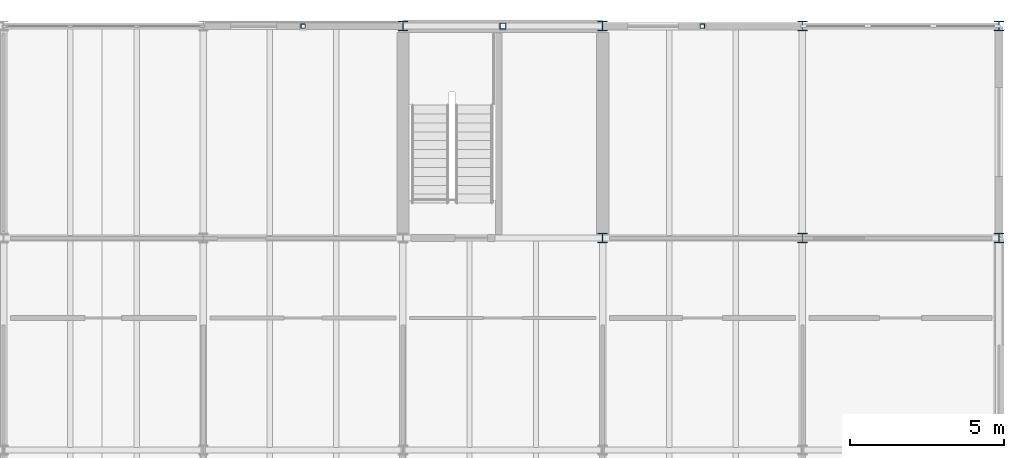
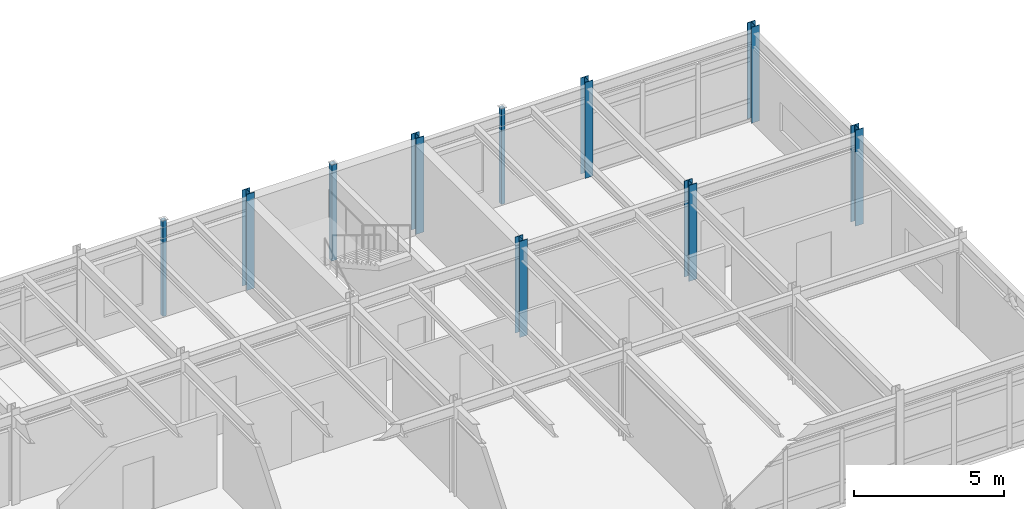
# One storey, part 13 of 49: 10 columns.
"""IFC4 building model written with IfcOpenShell, lengths in metres."""

import ifcopenshell
import ifcopenshell.guid

model = None  # the IFC model being written
_history = None  # IfcOwnerHistory: only IFC2X3 demands one
_inside = {}  # id of a spatial element -> (the spatial element, [elements in it])
_under = {}  # id of a project, library or spatial element -> (it, [spatial elements below it])
_declared = {}  # id of a project -> (the project, [libraries it declares])
_typed = {}  # id of a type object -> (the type object, [elements of that type])
_made_of = {}  # id of a material, layer set ... -> (it, [elements and type objects made of it])


def new_model(schema):
    """Start an empty IFC model of exactly this schema.

    Asked for "IFC4X3", IfcOpenShell would pick the latest addendum, in which some entities
    have other attributes; the version numbers below select the first issue.
    IFC2X3 requires an IfcOwnerHistory on every rooted entity: one is made here for all.
    """
    global model, _history
    if schema == "IFC4X3":
        model = ifcopenshell.file(schema_version=(4, 3, 0, 0))
    else:
        model = ifcopenshell.file(schema=schema)
    _inside.clear()
    _under.clear()
    _declared.clear()
    _typed.clear()
    _made_of.clear()
    _history = None
    if model.schema == "IFC2X3":
        org = make("IfcOrganization", Name="unknown")
        user = make(
            "IfcPersonAndOrganization",
            ThePerson=make("IfcPerson", FamilyName="unknown"),
            TheOrganization=org,
        )
        app = make(
            "IfcApplication",
            ApplicationDeveloper=org,
            Version="unknown",
            ApplicationFullName="unknown",
            ApplicationIdentifier="unknown",
        )
        _history = make(
            "IfcOwnerHistory",
            OwningUser=user,
            OwningApplication=app,
            ChangeAction="ADDED",
            CreationDate=0,
        )
    return model


def make(cls, **values):
    """One entity of the class cls with the attributes given. An attribute that is None is left unset."""
    return model.create_entity(
        cls, **{name: value for name, value in values.items() if value is not None}
    )


def rooted(cls, **values):
    """An entity with a GlobalId (a new one), such as an element, a storey or a relation."""
    return make(cls, GlobalId=ifcopenshell.guid.new(), OwnerHistory=_history, **values)


def si_unit(unit_type, name, prefix=None):
    """IfcSIUnit, for example si_unit("LENGTHUNIT", "METRE", prefix="MILLI")."""
    return make("IfcSIUnit", UnitType=unit_type, Prefix=prefix, Name=name)


def assignment(units):
    """IfcUnitAssignment: the units of a project."""
    return None if units is None else make("IfcUnitAssignment", Units=units)


def point(xyz):
    """IfcCartesianPoint."""
    return None if xyz is None else make("IfcCartesianPoint", Coordinates=xyz)


def direction(xyz):
    """IfcDirection."""
    return None if xyz is None else make("IfcDirection", DirectionRatios=xyz)


def frame(location, z_axis=None, x_axis=None):
    """IfcAxis2Placement3D, a coordinate frame: its origin and axes. An axis left out is left unset."""
    return make(
        "IfcAxis2Placement3D",
        Location=point(location),
        Axis=direction(z_axis),
        RefDirection=direction(x_axis),
    )


def frame_2d(location, x_axis=None):
    """IfcAxis2Placement2D, a coordinate frame in the plane: its origin and x axis."""
    return make(
        "IfcAxis2Placement2D", Location=point(location), RefDirection=direction(x_axis)
    )


def origin():
    """The frame at (0, 0, 0) with its axes left unset."""
    return frame((0.0, 0.0, 0.0))


def origin_2d():
    """The frame at (0, 0) in the plane with its x axis left unset."""
    return frame_2d((0.0, 0.0))


def place(relative_to, where):
    """IfcLocalPlacement: puts the frame where relative to a parent placement (None: the world)."""
    return make(
        "IfcLocalPlacement", PlacementRelTo=relative_to, RelativePlacement=where
    )


def context(
    kind, dimensions, precision=None, world=None, true_north=None, identifier=None
):
    """IfcGeometricRepresentationContext, for example the 3D "Model" context."""
    return make(
        "IfcGeometricRepresentationContext",
        ContextIdentifier=identifier,
        ContextType=kind,
        CoordinateSpaceDimension=dimensions,
        Precision=precision,
        WorldCoordinateSystem=world,
        TrueNorth=true_north,
    )


def subcontext(parent, identifier, kind, view, scale=None):
    """IfcGeometricRepresentationSubContext, for example "Body" below "Model"."""
    return make(
        "IfcGeometricRepresentationSubContext",
        ContextIdentifier=identifier,
        ContextType=kind,
        ParentContext=parent,
        TargetScale=scale,
        TargetView=view,
    )


def project(units=None, contexts=None):
    """IfcProject with its units and contexts."""
    return rooted(
        "IfcProject",
        Name="project",
        RepresentationContexts=contexts,
        UnitsInContext=assignment(units),
    )


def spatial(cls, under=None, at=None, **own):
    """A site, building, storey or space (cls), placed at a placement, below another one or the project."""
    s = rooted(cls, ObjectPlacement=at, **own)
    if under is not None:
        _under.setdefault(under.id(), (under, []))[1].append(s)
    return s


def profile(cls, at=None, kind="AREA", **sizes):
    """A parametric profile (cls). Its sizes go by their IFC names, for example OverallWidth=200.0."""
    return make(cls, ProfileType=kind, Position=at, **sizes)


def hollow_rectangle(**sizes):
    """IfcRectangleHollowProfileDef."""
    return profile("IfcRectangleHollowProfileDef", **sizes)


def i_section(**sizes):
    """IfcIShapeProfileDef."""
    return profile("IfcIShapeProfileDef", **sizes)


def extrude(swept, where, along, depth):
    """IfcExtrudedAreaSolid: the profile swept, set in the frame where, extruded along a direction by depth."""
    return make(
        "IfcExtrudedAreaSolid",
        SweptArea=swept,
        Position=where,
        ExtrudedDirection=direction(along),
        Depth=depth,
    )


def shape(context_of_items, identifier, shape_type, items):
    """IfcShapeRepresentation: the items that make up one representation, for example the "Body"."""
    return make(
        "IfcShapeRepresentation",
        ContextOfItems=context_of_items,
        RepresentationIdentifier=identifier,
        RepresentationType=shape_type,
        Items=items,
    )


def material(Name=None, Category=None):
    """IfcMaterial."""
    return make("IfcMaterial", Name=Name, Category=Category)


def material_profile(
    of_material, cross_section, Name=None, Category=None, Priority=None
):
    """IfcMaterialProfile: a cross section and its material."""
    return make(
        "IfcMaterialProfile",
        Name=Name,
        Material=of_material,
        Profile=cross_section,
        Priority=Priority,
        Category=Category,
    )


def profile_set(profiles, Name=None, composite=None):
    """IfcMaterialProfileSet."""
    return make(
        "IfcMaterialProfileSet",
        Name=Name,
        MaterialProfiles=profiles,
        CompositeProfile=composite,
    )


def made_of(thing, what):
    """Note that an element or type object is made of a material, layer set ...; save() writes the relation."""
    if what is not None:
        _made_of.setdefault(what.id(), (what, []))[1].append(thing)
    return thing


def type_object(cls, material=None, **own):
    """A type object (cls), such as IfcWallType, which elements share."""
    return made_of(rooted(cls, **own), material)


def element(
    cls,
    number,
    at=None,
    inside=None,
    cuts=None,
    type_object=None,
    material=None,
    context=None,
    identifier="Body",
    shape_type=None,
    held_by="IfcProductDefinitionShape",
    body=None,
    shapes=None,
    **own,
):
    """One element of the class cls, such as IfcWall. Its Tag is "e" and its number.

    at: its placement. inside: the storey or other place that contains it. cuts: it is an
    opening in that element (IfcRelVoidsElement). A single representation is given by context,
    identifier, shape_type and body (its items); several are given by shapes. held_by: the class
    of the entity that holds the representations. save() writes the other relations.
    """
    e = rooted(cls, Tag="e%d" % number, ObjectPlacement=at, **own)
    if body is not None:
        shapes = [shape(context, identifier, shape_type, body)]
    if shapes is not None:
        e.Representation = make(held_by, Representations=shapes)
    if inside is not None:
        _inside.setdefault(inside.id(), (inside, []))[1].append(e)
    if cuts is not None:
        rooted(
            "IfcRelVoidsElement", RelatingBuildingElement=cuts, RelatedOpeningElement=e
        )
    if type_object is not None:
        _typed.setdefault(type_object.id(), (type_object, []))[1].append(e)
    return made_of(e, material)


def aggregate(whole, parts):
    """IfcRelAggregates: a whole, such as a stair, and the parts it consists of."""
    return rooted("IfcRelAggregates", RelatingObject=whole, RelatedObjects=parts)


def save(model, path):
    """Write the relations noted so far, then the file.

    IfcRelAggregates (storeys below a building ...), IfcRelContainedInSpatialStructure (elements
    in a storey), IfcRelDefinesByType, IfcRelAssociatesMaterial and IfcRelDeclares: one each for
    every whole, place, type object, material and project.
    """
    for whole, parts in _under.values():
        aggregate(whole, parts)
    for where, things in _inside.values():
        rooted(
            "IfcRelContainedInSpatialStructure",
            RelatedElements=things,
            RelatingStructure=where,
        )
    for kind, things in _typed.values():
        rooted("IfcRelDefinesByType", RelatedObjects=things, RelatingType=kind)
    for what, things in _made_of.values():
        rooted("IfcRelAssociatesMaterial", RelatedObjects=things, RelatingMaterial=what)
    for by, libraries in _declared.values():
        rooted("IfcRelDeclares", RelatingContext=by, RelatedDefinitions=libraries)
    model.write(path)


model = new_model("IFC4")

# Units and contexts
model_context = context("Model", 3, precision=1e-05, world=origin(), true_north=direction((0.0, 1.0)))
body_context = subcontext(model_context, "Body", "Model", "MODEL_VIEW")
ifc_project = project(units=[si_unit("LENGTHUNIT", "METRE"), si_unit("AREAUNIT", "SQUARE_METRE"), si_unit("VOLUMEUNIT", "CUBIC_METRE"), si_unit("PLANEANGLEUNIT", "RADIAN"), si_unit("MASSUNIT", "GRAM", prefix="KILO")], contexts=[model_context])

# Site, building, storey
site_placement = place(None, origin())
site = spatial("IfcSite", under=ifc_project, at=site_placement, CompositionType="ELEMENT")
building_placement = place(site_placement, origin())
building = spatial("IfcBuilding", under=site, at=building_placement, Name="Trelmorton Wharf Fire Station", CompositionType="ELEMENT")
storey_placement = place(building_placement, frame((0.0, 0.0, 9.60009765625)))
storey = spatial("IfcBuildingStorey", under=building, at=storey_placement, Name="L02", CompositionType="ELEMENT", Elevation=9.60009765625)

# Columns
ifc_material_1 = material(Name="Steel Grade 350", Category="steel")
ifc_material_profile_1 = material_profile(ifc_material_1, i_section(OverallWidth=0.306884765625, OverallDepth=0.31494140625, WebThickness=0.011962890625, FlangeThickness=0.018798828125, FilletRadius=0.0166015625, at=origin_2d()), Name="310UC118")
ifc_profile_set_1 = profile_set([ifc_material_profile_1], Name="Steel Grade 350")
column_type_1 = type_object("IfcColumnType", Name="COL_310UC118", PredefinedType="COLUMN", material=ifc_profile_set_1)
for number, where, z_axis, x_axis, name in (
    (1, (143.0, 81.0, 0.0), (0.0, 0.0, 1.0), (1.0, 0.0, 0.0), "COL-L02-0559"),
    (2, (149.5, 74.10009765625, 0.0), (0.0, 0.0, 1.0), (1.0, 0.0, 0.0), "COL-L02-0566"),
    (3, (149.5, 81.0, 0.0), (0.0, 0.0, 1.0), (1.0, 0.0, 0.0), "COL-L02-0567"),
    (4, (156.0, 74.10009765625, 0.0), (0.0, 0.0, 1.0), (1.0, 0.0, 0.0), "COL-L02-0574"),
    (5, (156.0, 81.0, 0.0), (0.0, 0.0, 1.0), (1.0, 0.0, 0.0), "COL-L02-0575"),
    (6, (162.39990234375, 74.10009765625, 0.0), (0.0, 0.0, 1.0), (1.0, 0.0, 0.0), "COL-L02-0582"),
    (7, (162.39990234375, 81.0, 0.0), (0.0, 0.0, 1.0), (1.0, 0.0, 0.0), "COL-L02-0583"),
):
    element("IfcColumn", number, at=place(storey_placement, frame(where, z_axis=z_axis, x_axis=x_axis)), inside=storey, type_object=column_type_1, Name=name, PredefinedType="COLUMN", context=body_context, shape_type="SweptSolid", body=[
        extrude(i_section(OverallWidth=0.306884765625, OverallDepth=0.31494140625, WebThickness=0.011962890625, FlangeThickness=0.018798828125, FilletRadius=0.0166015625, at=origin_2d()), origin(), (0.0, 0.0, 1.0), 3.89990234375),
    ])
ifc_material_2 = material(Name="Steel C350L0 (350 MPa)", Category="steel")
ifc_material_profile_2 = material_profile(ifc_material_2, hollow_rectangle(XDim=0.14990234375, YDim=0.14990234375, WallThickness=0.009033203125, at=origin_2d()), Name="150x150x9.0SHS")
ifc_profile_set_2 = profile_set([ifc_material_profile_2], Name="Steel C350L0 (350 MPa)")
column_type_2 = type_object("IfcColumnType", Name="PIL_150SHS", PredefinedType="PILASTER", material=ifc_profile_set_2)
for number, where, z_axis, x_axis, name in (
    (8, (139.75, 81.0, 0.0), (0.0, 0.0, 1.0), (1.0, 0.0, 0.0), "PIL-N-L02-027"),
    (9, (152.75, 81.0, 0.0), (0.0, 0.0, 1.0), (1.0, 0.0, 0.0), "PIL-N-L02-038"),
):
    element("IfcColumn", number, at=place(storey_placement, frame(where, z_axis=z_axis, x_axis=x_axis)), inside=storey, type_object=column_type_2, Name=name, PredefinedType="PILASTER", context=body_context, shape_type="SweptSolid", body=[
        extrude(hollow_rectangle(XDim=0.14990234375, YDim=0.14990234375, WallThickness=0.009033203125, at=origin_2d()), origin(), (0.0, 0.0, 1.0), 3.89990234375),
    ])
ifc_material_profile_3 = material_profile(ifc_material_2, hollow_rectangle(XDim=0.199951171875, YDim=0.199951171875, WallThickness=0.010009765625, at=origin_2d()), Name="200x200x10.0SHS")
ifc_profile_set_3 = profile_set([ifc_material_profile_3], Name="Steel C350L0 (350 MPa)")
column_type_3 = type_object("IfcColumnType", Name="PIL_200SHS", PredefinedType="PILASTER", material=ifc_profile_set_3)
column_placement = place(storey_placement, frame((146.25, 81.0, 0.0), z_axis=(0.0, 0.0, 1.0), x_axis=(1.0, 0.0, 0.0)))
element("IfcColumn", 10, at=column_placement, inside=storey, type_object=column_type_3, Name="PIL-N-L02-035", PredefinedType="PILASTER", context=body_context, shape_type="SweptSolid", body=[
    extrude(hollow_rectangle(XDim=0.199951171875, YDim=0.199951171875, WallThickness=0.010009765625, at=origin_2d()), origin(), (0.0, 0.0, 1.0), 3.89990234375),
])

save(model, "model.ifc")
